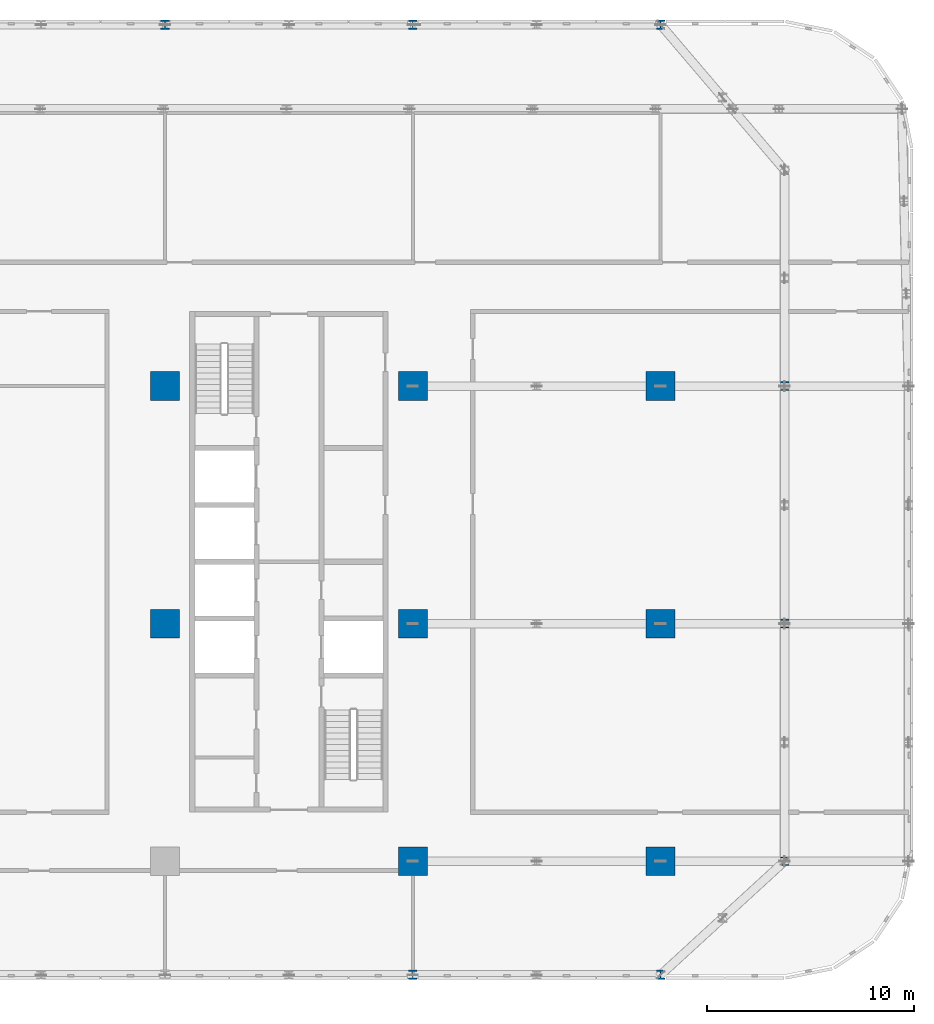
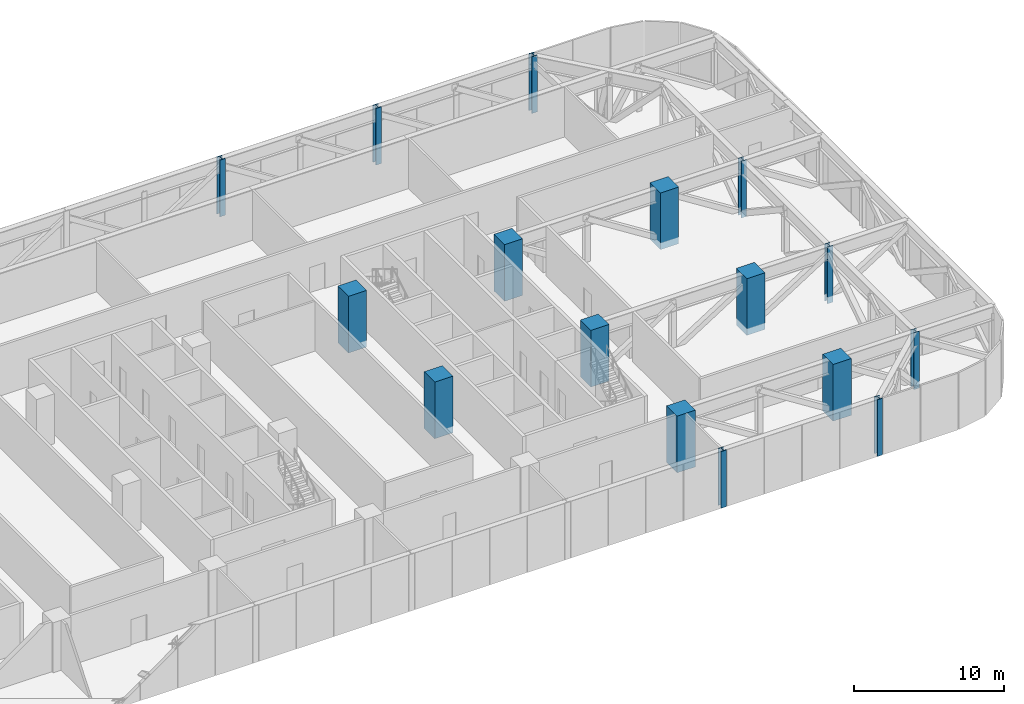
# One storey, part 2 of 26: 16 columns.
"""IFC4 building model written with IfcOpenShell, lengths in metres."""

from ifc_helpers import new_model, si_unit, direction, frame, origin, origin_2d, place, context, subcontext, project, spatial, rectangle, i_section, extrude, material, material_profile, profile_set, type_object, element, save


model = new_model("IFC4")

# Units and contexts
model_context = context("Model", 3, precision=1e-05, world=origin(), true_north=direction((0.0, 1.0)))
body_context = subcontext(model_context, "Body", "Model", "MODEL_VIEW")
ifc_project = project(units=[si_unit("LENGTHUNIT", "METRE"), si_unit("AREAUNIT", "SQUARE_METRE"), si_unit("VOLUMEUNIT", "CUBIC_METRE"), si_unit("PLANEANGLEUNIT", "RADIAN"), si_unit("MASSUNIT", "GRAM", prefix="KILO")], contexts=[model_context])

# Site, building, storey
site_placement = place(None, origin())
site = spatial("IfcSite", under=ifc_project, at=site_placement, CompositionType="ELEMENT")
building_placement = place(site_placement, origin())
building = spatial("IfcBuilding", under=site, at=building_placement, Name="Mahtab Terrace Research Tower", CompositionType="ELEMENT")
storey_placement = place(building_placement, frame((0.0, 0.0, 117.60009765625)))
storey = spatial("IfcBuildingStorey", under=building, at=storey_placement, Name="L27", CompositionType="ELEMENT", Elevation=117.60009765625)

# Columns
ifc_material_1 = material(Name="Concrete C70/85", Category="concrete")
ifc_material_profile_1 = material_profile(ifc_material_1, rectangle(XDim=1.39990234375, YDim=1.39990234375, at=origin_2d()), Name="RC column 1400x1400")
ifc_profile_set_1 = profile_set([ifc_material_profile_1], Name="Concrete C70/85")
column_type_1 = type_object("IfcColumnType", Name="RC column 1400x1400", PredefinedType="COLUMN", material=ifc_profile_set_1)
for number, where, z_axis, x_axis, name in (
    (1, (18.0, 0.0, -0.550048828125), (0.0, 0.0, 1.0), (1.0, 0.0, 0.0), "Column RC-6B L27"),
    (2, (18.0, 11.5, -0.550048828125), (0.0, 0.0, 1.0), (1.0, 0.0, 0.0), "Column RC-6C L27"),
    (3, (30.0, -11.5, -0.550048828125), (0.0, 0.0, 1.0), (1.0, 0.0, 0.0), "Column RC-7A L27"),
    (4, (30.0, 0.0, -0.550048828125), (0.0, 0.0, 1.0), (1.0, 0.0, 0.0), "Column RC-7B L27"),
    (5, (30.0, 11.5, -0.550048828125), (0.0, 0.0, 1.0), (1.0, 0.0, 0.0), "Column RC-7C L27"),
    (6, (42.0, -11.5, -0.550048828125), (0.0, 0.0, 1.0), (1.0, 0.0, 0.0), "Column RC-8A L27"),
    (7, (42.0, 0.0, -0.550048828125), (0.0, 0.0, 1.0), (1.0, 0.0, 0.0), "Column RC-8B L27"),
    (8, (42.0, 11.5, -0.550048828125), (0.0, 0.0, 1.0), (1.0, 0.0, 0.0), "Column RC-8C L27"),
):
    element("IfcColumn", number, at=place(storey_placement, frame(where, z_axis=z_axis, x_axis=x_axis)), inside=storey, type_object=column_type_1, Name=name, PredefinedType="COLUMN", context=body_context, shape_type="SweptSolid", body=[
        extrude(rectangle(XDim=1.39990234375, YDim=1.39990234375, at=origin_2d()), origin(), (0.0, 0.0, 1.0), 4.60986328125),
    ])
ifc_material_2 = material(Name="Steel ASTM A992 Gr 50", Category="steel")
ifc_material_profile_2 = material_profile(ifc_material_2, i_section(OverallWidth=0.41162109375, OverallDepth=0.434326171875, WebThickness=0.035888671875, FlangeThickness=0.057373046875, at=origin_2d()), Name="W14X311")
ifc_profile_set_2 = profile_set([ifc_material_profile_2], Name="Steel ASTM A992 Gr 50")
column_type_2 = type_object("IfcColumnType", Name="W14x311 column CS14311", PredefinedType="COLUMN", material=ifc_profile_set_2)
for number, where, z_axis, x_axis, name in (
    (9, (48.0, -11.5, -0.550048828125), (0.0, 0.0, 1.0), (1.0, 0.0, 0.0), "Column SC-020 L27"),
    (10, (48.0, 0.0, -0.550048828125), (0.0, 0.0, 1.0), (1.0, 0.0, 0.0), "Column SC-021 L27"),
    (11, (48.0, 11.5, -0.550048828125), (0.0, 0.0, 1.0), (1.0, 0.0, 0.0), "Column SC-022 L27"),
):
    element("IfcColumn", number, at=place(storey_placement, frame(where, z_axis=z_axis, x_axis=x_axis)), inside=storey, type_object=column_type_2, Name=name, PredefinedType="COLUMN", context=body_context, shape_type="SweptSolid", body=[
        extrude(i_section(OverallWidth=0.41162109375, OverallDepth=0.434326171875, WebThickness=0.035888671875, FlangeThickness=0.057373046875, at=origin_2d()), origin(), (0.0, 0.0, 1.0), 4.60986328125),
    ])
ifc_material_profile_3 = material_profile(ifc_material_2, i_section(OverallWidth=0.419189453125, OverallDepth=0.45458984375, WebThickness=0.042236328125, FlangeThickness=0.067626953125, at=origin_2d()), Name="W14X370")
ifc_profile_set_3 = profile_set([ifc_material_profile_3], Name="Steel ASTM A992 Gr 50")
column_type_3 = type_object("IfcColumnType", Name="W14x370 column CS14370", PredefinedType="COLUMN", material=ifc_profile_set_3)
for number, where, z_axis, x_axis, name in (
    (12, (42.0, 29.0, -0.550048828125), (0.0, 0.0, 1.0), (1.0, 0.0, 0.0), "Column SC-031 L27"),
    (13, (30.0, 29.0, -0.550048828125), (0.0, 0.0, 1.0), (1.0, 0.0, 0.0), "Column SC-032 L27"),
    (14, (18.0, 29.0, -0.550048828125), (0.0, 0.0, 1.0), (1.0, 0.0, 0.0), "Column SC-033 L27"),
    (15, (30.0, -17.0, -0.550048828125), (0.0, 0.0, 1.0), (1.0, 0.0, 0.0), "Column SC-044 L27"),
    (16, (42.0, -17.0, -0.550048828125), (0.0, 0.0, 1.0), (1.0, 0.0, 0.0), "Column SC-045 L27"),
):
    element("IfcColumn", number, at=place(storey_placement, frame(where, z_axis=z_axis, x_axis=x_axis)), inside=storey, type_object=column_type_3, Name=name, PredefinedType="COLUMN", context=body_context, shape_type="SweptSolid", body=[
        extrude(i_section(OverallWidth=0.419189453125, OverallDepth=0.45458984375, WebThickness=0.042236328125, FlangeThickness=0.067626953125, at=origin_2d()), origin(), (0.0, 0.0, 1.0), 4.60986328125),
    ])

save(model, "model.ifc")
